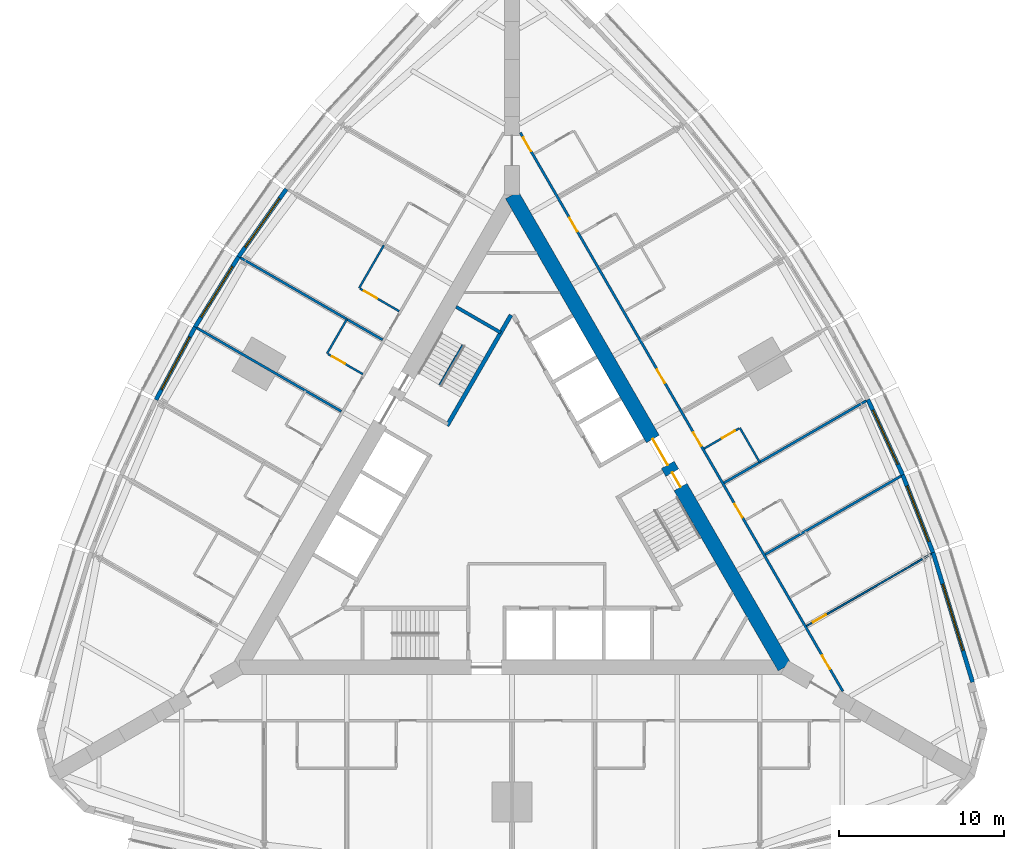
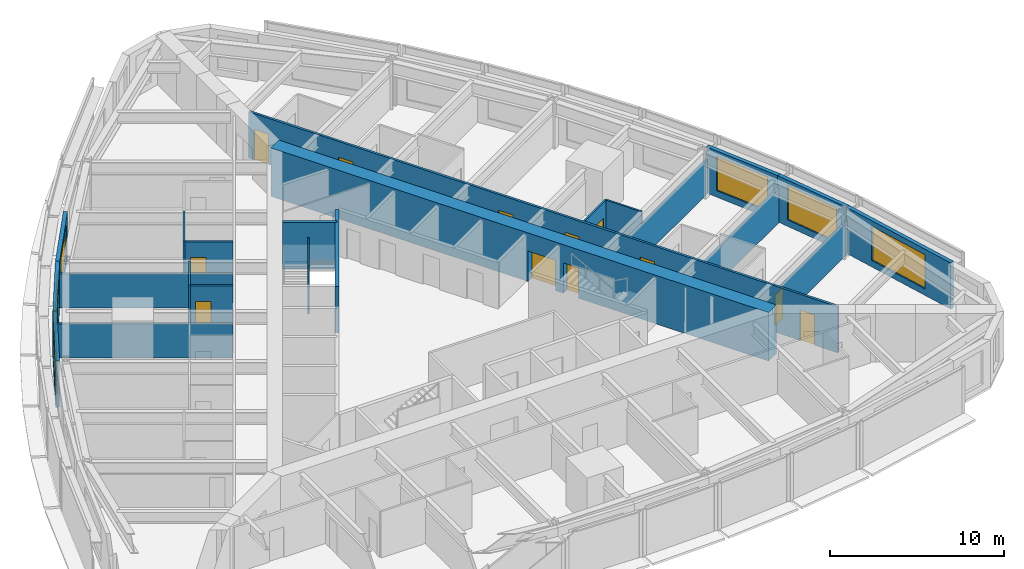
# One storey, part 11 of 14: 22 walls, 12 doors, 6 windows, 18 openings.
"""IFC4 building model written with IfcOpenShell, lengths in metres."""

from ifc_helpers import new_model, si_unit, direction, frame, frame_2d, origin, place, context, subcontext, project, spatial, rectangle, extrude, material, layer, layer_set, type_object, element, fill, save


model = new_model("IFC4")

# Units and contexts
model_context = context("Model", 3, precision=1e-05, world=origin(), true_north=direction((0.0, 1.0)))
body_context = subcontext(model_context, "Body", "Model", "MODEL_VIEW")
ifc_project = project(units=[si_unit("LENGTHUNIT", "METRE"), si_unit("AREAUNIT", "SQUARE_METRE"), si_unit("VOLUMEUNIT", "CUBIC_METRE"), si_unit("PLANEANGLEUNIT", "RADIAN"), si_unit("MASSUNIT", "GRAM", prefix="KILO")], contexts=[model_context])

# Site, building, storey
site_placement = place(None, origin())
site = spatial("IfcSite", under=ifc_project, at=site_placement, CompositionType="ELEMENT")
building_placement = place(site_placement, origin())
building = spatial("IfcBuilding", under=site, at=building_placement, Name="Trikona Tower", CompositionType="ELEMENT")
storey_placement = place(building_placement, frame((0.0, 0.0, 55.699951171875)))
storey = spatial("IfcBuildingStorey", under=building, at=storey_placement, Name="L13", CompositionType="ELEMENT", Elevation=55.699951171875)

# Wall
ifc_material_1 = material(Name="Metal stud and cement board", Category="gypsum")
ifc_layer_1 = layer(ifc_material_1, 0.1201171875)
ifc_layer_set_1 = layer_set([ifc_layer_1], Name="Bathroom wall 120")
wall_type_1 = type_object("IfcWallType", Name="Bathroom wall 120", PredefinedType="PLUMBINGWALL", material=ifc_layer_set_1)
wall_1_placement = place(storey_placement, frame((14.993408203125, 2.883056640625, 0.0), z_axis=(0.0, 0.0, 1.0), x_axis=(-0.500001309137, 0.866024647952, 0.0)))
element("IfcWall", 1, at=wall_1_placement, inside=storey, type_object=wall_type_1, Name="Bathroom wall 1307", PredefinedType="PLUMBINGWALL", context=body_context, shape_type="SweptSolid", body=[
    extrude(rectangle(XDim=2.39990234375, YDim=0.1201171875, at=frame_2d((1.199951171875, 0.0))), origin(), (0.0, 0.0, 1.0), 3.235107421875),
])

# Wall, opening, door
wall_2_placement = place(storey_placement, frame((11.62841796875, 3.71142578125, 0.0), z_axis=(0.0, 0.0, 1.0), x_axis=(0.866048967903, 0.499959183527, 0.0)))
wall_2 = element("IfcWall", 2, at=wall_2_placement, inside=storey, type_object=wall_type_1, Name="Bathroom wall 1307", PredefinedType="PLUMBINGWALL", context=body_context, shape_type="SweptSolid", body=[
    extrude(rectangle(XDim=2.440185546875, YDim=0.1201171875, at=frame_2d((1.22021484375, 0.0))), origin(), (0.0, 0.0, 1.0), 3.235107421875),
])
opening_1_placement = place(wall_2_placement, frame((1.25, 0.0, 0.0)))
opening_1 = element("IfcOpeningElement", 3, at=opening_1_placement, cuts=wall_2, Name="Opening D2", PredefinedType="OPENING", context=body_context, shape_type="SweptSolid", body=[
    extrude(rectangle(XDim=0.89990234375, YDim=2.1298828125, at=frame_2d((0.449951171875, 1.06494140625))), frame((0.0, 0.070068359375, 0.0), z_axis=(0.0, -1.0, 0.0), x_axis=(1.0, 0.0, 0.0)), (0.0, 0.0, 1.0), 0.14013671875),
])
ifc_material_2 = material(Name="Steel door frame with solid-core timber leaf", Category="steel")
door_type_1 = type_object("IfcDoorType", Name="Bathroom door 900x2130", OperationType="SLIDING_TO_LEFT", PredefinedType="DOOR", material=ifc_material_2)
door_1_placement = place(opening_1_placement, origin())
door_1 = element("IfcDoor", 4, at=door_1_placement, inside=storey, type_object=door_type_1, Name="Bathroom door 1307", OperationType="SLIDING_TO_LEFT", OverallHeight=2.1298828125, OverallWidth=0.89990234375, PredefinedType="DOOR", context=body_context, shape_type="SweptSolid", body=[
    extrude(rectangle(XDim=0.89990234375, YDim=2.1298828125, at=frame_2d((0.449951171875, 1.06494140625))), frame((0.0, 0.02490234375, 0.0), z_axis=(0.0, -1.0, 0.0), x_axis=(1.0, 0.0, 0.0)), (0.0, 0.0, 1.0), 0.050048828125),
])
fill(opening_1, door_1)

# Wall
wall_3_placement = place(storey_placement, frame((-7.75341796875, 16.0234375, 0.0), z_axis=(0.0, 0.0, 1.0), x_axis=(-0.499990139034, -0.866031096941, 0.0)))
element("IfcWall", 5, at=wall_3_placement, inside=storey, type_object=wall_type_1, Name="Bathroom wall 1312", PredefinedType="PLUMBINGWALL", context=body_context, shape_type="SweptSolid", body=[
    extrude(rectangle(XDim=3.0, YDim=0.1201171875, at=frame_2d((1.5, 0.0))), origin(), (0.0, 0.0, 1.0), 3.235107421875),
])

# Wall, opening, door
wall_4_placement = place(storey_placement, frame((-6.82861328125, 12.025390625, 0.0), z_axis=(0.0, 0.0, 1.0), x_axis=(-0.866035715982, 0.499982138324, 0.0)))
wall_4 = element("IfcWall", 6, at=wall_4_placement, inside=storey, type_object=wall_type_1, Name="Bathroom wall 1312", PredefinedType="PLUMBINGWALL", context=body_context, shape_type="SweptSolid", body=[
    extrude(rectangle(XDim=2.73974609375, YDim=0.1201171875, at=frame_2d((1.369873046875, 0.0))), origin(), (0.0, 0.0, 1.0), 3.235107421875),
])
opening_2_placement = place(wall_4_placement, frame((1.550048828125, 0.0, 0.0)))
opening_2 = element("IfcOpeningElement", 7, at=opening_2_placement, cuts=wall_4, Name="Opening D2", PredefinedType="OPENING", context=body_context, shape_type="SweptSolid", body=[
    extrude(rectangle(XDim=0.89990234375, YDim=2.1298828125, at=frame_2d((0.449951171875, 1.06494140625))), frame((0.0, 0.070068359375, 0.0), z_axis=(0.0, -1.0, 0.0), x_axis=(1.0, 0.0, 0.0)), (0.0, 0.0, 1.0), 0.14013671875),
])
door_2_placement = place(opening_2_placement, origin())
door_2 = element("IfcDoor", 8, at=door_2_placement, inside=storey, type_object=door_type_1, Name="Bathroom door 1312", OperationType="SLIDING_TO_LEFT", OverallHeight=2.1298828125, OverallWidth=0.89990234375, PredefinedType="DOOR", context=body_context, shape_type="SweptSolid", body=[
    extrude(rectangle(XDim=0.89990234375, YDim=2.1298828125, at=frame_2d((0.449951171875, 1.06494140625))), frame((0.0, 0.02490234375, 0.0), z_axis=(0.0, -1.0, 0.0), x_axis=(1.0, 0.0, 0.0)), (0.0, 0.0, 1.0), 0.050048828125),
])
fill(opening_2, door_2)

# Wall
wall_5_placement = place(storey_placement, frame((-9.993408203125, 11.543212890625, 0.0), z_axis=(0.0, 0.0, 1.0), x_axis=(-0.500077600433, -0.865980596518, 0.0)))
element("IfcWall", 9, at=wall_5_placement, inside=storey, type_object=wall_type_1, Name="Bathroom wall 1313", PredefinedType="PLUMBINGWALL", context=body_context, shape_type="SweptSolid", body=[
    extrude(rectangle(XDim=2.39990234375, YDim=0.1201171875, at=frame_2d((1.199951171875, 0.0))), origin(), (0.0, 0.0, 1.0), 3.235107421875),
])

# Wall, opening, door
wall_6_placement = place(storey_placement, frame((-9.028564453125, 8.21484375, 0.0), z_axis=(0.0, 0.0, 1.0), x_axis=(-0.866023955769, 0.500002508028, 0.0)))
wall_6 = element("IfcWall", 10, at=wall_6_placement, inside=storey, type_object=wall_type_1, Name="Bathroom wall 1313", PredefinedType="PLUMBINGWALL", context=body_context, shape_type="SweptSolid", body=[
    extrude(rectangle(XDim=2.43994140625, YDim=0.1201171875, at=frame_2d((1.219970703125, 0.0))), origin(), (0.0, 0.0, 1.0), 3.235107421875),
])
opening_3_placement = place(wall_6_placement, frame((1.25, 0.0, 0.0)))
opening_3 = element("IfcOpeningElement", 11, at=opening_3_placement, cuts=wall_6, Name="Opening D2", PredefinedType="OPENING", context=body_context, shape_type="SweptSolid", body=[
    extrude(rectangle(XDim=0.89990234375, YDim=2.1298828125, at=frame_2d((0.449951171875, 1.06494140625))), frame((0.0, 0.070068359375, 0.0), z_axis=(0.0, -1.0, 0.0), x_axis=(1.0, 0.0, 0.0)), (0.0, 0.0, 1.0), 0.14013671875),
])
door_3_placement = place(opening_3_placement, origin())
door_3 = element("IfcDoor", 12, at=door_3_placement, inside=storey, type_object=door_type_1, Name="Bathroom door 1313", OperationType="SLIDING_TO_LEFT", OverallHeight=2.1298828125, OverallWidth=0.89990234375, PredefinedType="DOOR", context=body_context, shape_type="SweptSolid", body=[
    extrude(rectangle(XDim=0.89990234375, YDim=2.1298828125, at=frame_2d((0.449951171875, 1.06494140625))), frame((0.0, 0.02490234375, 0.0), z_axis=(0.0, -1.0, 0.0), x_axis=(1.0, 0.0, 0.0)), (0.0, 0.0, 1.0), 0.050048828125),
])
fill(opening_3, door_3)

# Wall, openings, doors
ifc_material_3 = material(Name="Concrete f'c 10000 psi", Category="concrete")
ifc_layer_2 = layer(ifc_material_3, 0.89990234375)
ifc_layer_set_2 = layer_set([ifc_layer_2], Name="Core wall 900")
wall_type_2 = type_object("IfcWallType", Name="Core wall 900", PredefinedType="SHEAR", material=ifc_layer_set_2)
wall_7_placement = place(storey_placement, frame((16.5, -9.5263671875, 0.0), z_axis=(0.0, 0.0, 1.0), x_axis=(-0.499999749417, 0.866025548458, 0.0)))
wall_7 = element("IfcWall", 13, at=wall_7_placement, inside=storey, type_object=wall_type_2, Name="Core wall B", PredefinedType="SHEAR", context=body_context, shape_type="SweptSolid", body=[
    extrude(rectangle(XDim=33.0, YDim=0.89990234375, at=frame_2d((16.5, 0.0))), origin(), (0.0, 0.0, 1.0), 3.400146484375),
])
opening_4_placement = place(wall_7_placement, frame((14.14990234375, 0.0, 0.0)))
opening_4 = element("IfcOpeningElement", 14, at=opening_4_placement, cuts=wall_7, Name="Opening D6", PredefinedType="OPENING", context=body_context, shape_type="SweptSolid", body=[
    extrude(rectangle(XDim=1.800048828125, YDim=2.1298828125, at=frame_2d((0.89990234375, 1.06494140625))), frame((0.0, 0.4599609375, 0.0), z_axis=(0.0, -1.0, 0.0), x_axis=(1.0, 0.0, 0.0)), (0.0, 0.0, 1.0), 0.919921875),
])
opening_5_placement = place(wall_7_placement, frame((12.60009765625, 0.0, 0.0)))
opening_5 = element("IfcOpeningElement", 15, at=opening_5_placement, cuts=wall_7, Name="Opening D5", PredefinedType="OPENING", context=body_context, shape_type="SweptSolid", body=[
    extrude(rectangle(XDim=1.0, YDim=2.1298828125, at=frame_2d((0.5, 1.06494140625))), frame((0.0, 0.4599609375, 0.0), z_axis=(0.0, -1.0, 0.0), x_axis=(1.0, 0.0, 0.0)), (0.0, 0.0, 1.0), 0.919921875),
])
ifc_material_4 = material(Name="Hollow metal door and frame", Category="steel")
door_type_2 = type_object("IfcDoorType", Name="Lobby door pair 1800x2130", OperationType="DOUBLE_DOOR_SINGLE_SWING", PredefinedType="DOOR", material=ifc_material_4)
door_4_placement = place(opening_4_placement, origin())
door_4 = element("IfcDoor", 16, at=door_4_placement, inside=storey, type_object=door_type_2, Name="Lift lobby door B", OperationType="DOUBLE_DOOR_SINGLE_SWING", OverallHeight=2.1298828125, OverallWidth=1.800048828125, PredefinedType="DOOR", context=body_context, shape_type="SweptSolid", body=[
    extrude(rectangle(XDim=1.800048828125, YDim=2.1298828125, at=frame_2d((0.89990234375, 1.06494140625))), frame((0.0, 0.02490234375, 0.0), z_axis=(0.0, -1.0, 0.0), x_axis=(1.0, 0.0, 0.0)), (0.0, 0.0, 1.0), 0.050048828125),
])
fill(opening_4, door_4)
ifc_material_5 = material(Name="Hollow metal door and frame", Category="steel")
door_type_3 = type_object("IfcDoorType", Name="Stair door 1000x2130", OperationType="SINGLE_SWING_LEFT", PredefinedType="DOOR", material=ifc_material_5)
door_5_placement = place(opening_5_placement, origin())
door_5 = element("IfcDoor", 17, at=door_5_placement, inside=storey, type_object=door_type_3, Name="Stair B door", OperationType="SINGLE_SWING_RIGHT", OverallHeight=2.1298828125, OverallWidth=1.0, PredefinedType="DOOR", context=body_context, shape_type="SweptSolid", body=[
    extrude(rectangle(XDim=1.0, YDim=2.1298828125, at=frame_2d((0.5, 1.06494140625))), frame((0.0, 0.02490234375, 0.0), z_axis=(0.0, -1.0, 0.0), x_axis=(1.0, 0.0, 0.0)), (0.0, 0.0, 1.0), 0.050048828125),
])
fill(opening_5, door_5)

ifc_material_6 = material(Name="Metal stud and gypsum board, 1-hour", Category="gypsum")
ifc_layer_3 = layer(ifc_material_6, 0.14990234375)
ifc_layer_set_3 = layer_set([ifc_layer_3], Name="Corridor wall 150")
wall_type_3 = type_object("IfcWallType", Name="Corridor wall 150", PredefinedType="PARTITIONING", material=ifc_layer_set_3)
wall_8_placement = place(storey_placement, frame((20.027099609375, -10.9853515625, 0.0), z_axis=(0.0, 0.0, 1.0), x_axis=(-0.500001677587, 0.866024435227, 0.0)))
wall_8 = element("IfcWall", 18, at=wall_8_placement, inside=storey, type_object=wall_type_3, Name="Corridor wall L13-2", PredefinedType="PARTITIONING", context=body_context, shape_type="SweptSolid", body=[
    extrude(rectangle(XDim=39.053955078125, YDim=0.14990234375, at=frame_2d((19.52685546875, 0.0))), origin(), (0.0, 0.0, 1.0), 3.235107421875),
])
opening_6_placement = place(wall_8_placement, frame((1.558349609375, 0.0, 0.0)))
opening_6 = element("IfcOpeningElement", 19, at=opening_6_placement, cuts=wall_8, Name="Opening D1", PredefinedType="OPENING", context=body_context, shape_type="SweptSolid", body=[
    extrude(rectangle(XDim=0.949951171875, YDim=2.1298828125, at=frame_2d((0.47509765625, 1.06494140625))), frame((0.0, 0.0849609375, 0.0), z_axis=(0.0, -1.0, 0.0), x_axis=(1.0, 0.0, 0.0)), (0.0, 0.0, 1.0), 0.169921875),
])
opening_7_placement = place(wall_8_placement, frame((12.152099609375, 0.0, 0.0)))
opening_7 = element("IfcOpeningElement", 20, at=opening_7_placement, cuts=wall_8, Name="Opening D1", PredefinedType="OPENING", context=body_context, shape_type="SweptSolid", body=[
    extrude(rectangle(XDim=0.949951171875, YDim=2.1298828125, at=frame_2d((0.47509765625, 1.06494140625))), frame((0.0, 0.0849609375, 0.0), z_axis=(0.0, -1.0, 0.0), x_axis=(1.0, 0.0, 0.0)), (0.0, 0.0, 1.0), 0.169921875),
])
opening_8_placement = place(wall_8_placement, frame((17.152099609375, 0.0, 0.0)))
opening_8 = element("IfcOpeningElement", 21, at=opening_8_placement, cuts=wall_8, Name="Opening D1", PredefinedType="OPENING", context=body_context, shape_type="SweptSolid", body=[
    extrude(rectangle(XDim=0.949951171875, YDim=2.1298828125, at=frame_2d((0.47509765625, 1.06494140625))), frame((0.0, 0.0849609375, 0.0), z_axis=(0.0, -1.0, 0.0), x_axis=(1.0, 0.0, 0.0)), (0.0, 0.0, 1.0), 0.169921875),
])
opening_9_placement = place(wall_8_placement, frame((21.552001953125, 0.0, 0.0)))
opening_9 = element("IfcOpeningElement", 22, at=opening_9_placement, cuts=wall_8, Name="Opening D1", PredefinedType="OPENING", context=body_context, shape_type="SweptSolid", body=[
    extrude(rectangle(XDim=0.949951171875, YDim=2.1298828125, at=frame_2d((0.47509765625, 1.06494140625))), frame((0.0, 0.0849609375, 0.0), z_axis=(0.0, -1.0, 0.0), x_axis=(1.0, 0.0, 0.0)), (0.0, 0.0, 1.0), 0.169921875),
])
opening_10_placement = place(wall_8_placement, frame((32.152099609375, 0.0, 0.0)))
opening_10 = element("IfcOpeningElement", 23, at=opening_10_placement, cuts=wall_8, Name="Opening D1", PredefinedType="OPENING", context=body_context, shape_type="SweptSolid", body=[
    extrude(rectangle(XDim=0.949951171875, YDim=2.1298828125, at=frame_2d((0.47509765625, 1.06494140625))), frame((0.0, 0.0849609375, 0.0), z_axis=(0.0, -1.0, 0.0), x_axis=(1.0, 0.0, 0.0)), (0.0, 0.0, 1.0), 0.169921875),
])
opening_11_placement = place(wall_8_placement, frame((37.751953125, 0.0, 0.0)))
opening_11 = element("IfcOpeningElement", 24, at=opening_11_placement, cuts=wall_8, Name="Opening D1", PredefinedType="OPENING", context=body_context, shape_type="SweptSolid", body=[
    extrude(rectangle(XDim=0.949951171875, YDim=2.1298828125, at=frame_2d((0.47509765625, 1.06494140625))), frame((0.0, 0.0849609375, 0.0), z_axis=(0.0, -1.0, 0.0), x_axis=(1.0, 0.0, 0.0)), (0.0, 0.0, 1.0), 0.169921875),
])
ifc_material_7 = material(Name="Steel door frame with solid-core timber leaf", Category="steel")
door_type_4 = type_object("IfcDoorType", Name="Guest room door 950x2130", OperationType="SINGLE_SWING_LEFT", PredefinedType="DOOR", material=ifc_material_7)
door_6_placement = place(opening_6_placement, origin())
door_6 = element("IfcDoor", 25, at=door_6_placement, inside=storey, type_object=door_type_4, Name="Room door 1305", OperationType="SINGLE_SWING_LEFT", OverallHeight=2.1298828125, OverallWidth=0.949951171875, PredefinedType="DOOR", context=body_context, shape_type="SweptSolid", body=[
    extrude(rectangle(XDim=0.949951171875, YDim=2.1298828125, at=frame_2d((0.47509765625, 1.06494140625))), frame((0.0, 0.02490234375, 0.0), z_axis=(0.0, -1.0, 0.0), x_axis=(1.0, 0.0, 0.0)), (0.0, 0.0, 1.0), 0.050048828125),
])
fill(opening_6, door_6)
door_7_placement = place(opening_7_placement, origin())
door_7 = element("IfcDoor", 26, at=door_7_placement, inside=storey, type_object=door_type_4, Name="Room door 1306", OperationType="SINGLE_SWING_RIGHT", OverallHeight=2.1298828125, OverallWidth=0.949951171875, PredefinedType="DOOR", context=body_context, shape_type="SweptSolid", body=[
    extrude(rectangle(XDim=0.949951171875, YDim=2.1298828125, at=frame_2d((0.47509765625, 1.06494140625))), frame((0.0, 0.02490234375, 0.0), z_axis=(0.0, -1.0, 0.0), x_axis=(1.0, 0.0, 0.0)), (0.0, 0.0, 1.0), 0.050048828125),
])
fill(opening_7, door_7)
door_8_placement = place(opening_8_placement, origin())
door_8 = element("IfcDoor", 27, at=door_8_placement, inside=storey, type_object=door_type_4, Name="Room door 1307", OperationType="SINGLE_SWING_LEFT", OverallHeight=2.1298828125, OverallWidth=0.949951171875, PredefinedType="DOOR", context=body_context, shape_type="SweptSolid", body=[
    extrude(rectangle(XDim=0.949951171875, YDim=2.1298828125, at=frame_2d((0.47509765625, 1.06494140625))), frame((0.0, 0.02490234375, 0.0), z_axis=(0.0, -1.0, 0.0), x_axis=(1.0, 0.0, 0.0)), (0.0, 0.0, 1.0), 0.050048828125),
])
fill(opening_8, door_8)
door_9_placement = place(opening_9_placement, origin())
door_9 = element("IfcDoor", 28, at=door_9_placement, inside=storey, type_object=door_type_4, Name="Room door 1308", OperationType="SINGLE_SWING_RIGHT", OverallHeight=2.1298828125, OverallWidth=0.949951171875, PredefinedType="DOOR", context=body_context, shape_type="SweptSolid", body=[
    extrude(rectangle(XDim=0.949951171875, YDim=2.1298828125, at=frame_2d((0.47509765625, 1.06494140625))), frame((0.0, 0.02490234375, 0.0), z_axis=(0.0, -1.0, 0.0), x_axis=(1.0, 0.0, 0.0)), (0.0, 0.0, 1.0), 0.050048828125),
])
fill(opening_9, door_9)
door_10_placement = place(opening_10_placement, origin())
door_10 = element("IfcDoor", 29, at=door_10_placement, inside=storey, type_object=door_type_4, Name="Room door 1309", OperationType="SINGLE_SWING_LEFT", OverallHeight=2.1298828125, OverallWidth=0.949951171875, PredefinedType="DOOR", context=body_context, shape_type="SweptSolid", body=[
    extrude(rectangle(XDim=0.949951171875, YDim=2.1298828125, at=frame_2d((0.47509765625, 1.06494140625))), frame((0.0, 0.02490234375, 0.0), z_axis=(0.0, -1.0, 0.0), x_axis=(1.0, 0.0, 0.0)), (0.0, 0.0, 1.0), 0.050048828125),
])
fill(opening_10, door_10)
door_11_placement = place(opening_11_placement, origin())
door_11 = element("IfcDoor", 30, at=door_11_placement, inside=storey, type_object=door_type_4, Name="Room door 1310", OperationType="SINGLE_SWING_RIGHT", OverallHeight=2.1298828125, OverallWidth=0.949951171875, PredefinedType="DOOR", context=body_context, shape_type="SweptSolid", body=[
    extrude(rectangle(XDim=0.949951171875, YDim=2.1298828125, at=frame_2d((0.47509765625, 1.06494140625))), frame((0.0, 0.02490234375, 0.0), z_axis=(0.0, -1.0, 0.0), x_axis=(1.0, 0.0, 0.0)), (0.0, 0.0, 1.0), 0.050048828125),
])
fill(opening_11, door_11)

# Wall
ifc_material_8 = material(Name="Concrete f'c 8000 psi", Category="concrete")
ifc_layer_4 = layer(ifc_material_8, 0.25)
ifc_layer_set_4 = layer_set([ifc_layer_4], Name="Hub wall 250")
wall_type_4 = type_object("IfcWallType", Name="Hub wall 250", PredefinedType="SOLIDWALL", material=ifc_layer_set_4)
wall_9_placement = place(storey_placement, frame((-0.0625, 11.794189453125, 0.0), z_axis=(0.0, 0.0, 1.0), x_axis=(-0.500006680225, -0.86602154692, 0.0)))
element("IfcWall", 31, at=wall_9_placement, inside=storey, type_object=wall_type_4, Name="Lift lobby wall C1", PredefinedType="SOLIDWALL", context=body_context, shape_type="SweptSolid", body=[
    extrude(rectangle(XDim=7.73291015625, YDim=0.25, at=frame_2d((3.866455078125, 0.0))), origin(), (0.0, 0.0, 1.0), 3.235107421875),
])

# Wall, opening, window
ifc_material_9 = material(Name="Insulated precast concrete spandrel panel", Category="concrete")
ifc_layer_5 = layer(ifc_material_9, 0.25)
ifc_layer_set_5 = layer_set([ifc_layer_5], Name="Inner skin wall 250")
wall_type_5 = type_object("IfcWallType", Name="Inner skin wall 250", PredefinedType="STANDARD", material=ifc_layer_set_5)
wall_10_placement = place(storey_placement, frame((27.88037109375, -10.4287109375, 0.0), z_axis=(0.0, 0.0, 1.0), x_axis=(-0.2919790669, 0.956424709265, 0.0)))
wall_10 = element("IfcWall", 32, at=wall_10_placement, inside=storey, type_object=wall_type_5, Name="External wall L13-12", PredefinedType="STANDARD", context=body_context, shape_type="SweptSolid", body=[
    extrude(rectangle(XDim=8.211181640625, YDim=0.25, at=frame_2d((4.10546875, 0.0))), origin(), (0.0, 0.0, 1.0), 3.235107421875),
])
opening_12_placement = place(wall_10_placement, frame((2.005615234375, 0.0, 0.449951171875)))
opening_12 = element("IfcOpeningElement", 33, at=opening_12_placement, cuts=wall_10, Name="Opening W4224", PredefinedType="OPENING", context=body_context, shape_type="SweptSolid", body=[
    extrude(rectangle(XDim=4.199951171875, YDim=2.39990234375, at=frame_2d((2.10009765625, 1.199951171875))), frame((0.0, 0.135009765625, 0.0), z_axis=(0.0, -1.0, 0.0), x_axis=(1.0, 0.0, 0.0)), (0.0, 0.0, 1.0), 0.27001953125),
])
ifc_material_10 = material(Name="Aluminium-framed double glazing", Category="aluminium")
window_type_1 = type_object("IfcWindowType", Name="Window 4200x2400", PartitioningType="SINGLE_PANEL", PredefinedType="WINDOW", material=ifc_material_10)
window_1_placement = place(opening_12_placement, origin())
window_1 = element("IfcWindow", 34, at=window_1_placement, inside=storey, type_object=window_type_1, Name="Window 1305", OverallHeight=2.39990234375, OverallWidth=4.199951171875, PartitioningType="SINGLE_PANEL", PredefinedType="WINDOW", context=body_context, shape_type="SweptSolid", body=[
    extrude(rectangle(XDim=4.199951171875, YDim=2.39990234375, at=frame_2d((2.10009765625, 1.199951171875))), frame((0.0, 0.030029296875, 0.0), z_axis=(0.0, -1.0, 0.0), x_axis=(1.0, 0.0, 0.0)), (0.0, 0.0, 1.0), 0.06005859375),
])
fill(opening_12, window_1)

wall_11_placement = place(storey_placement, frame((25.486083984375, -2.58447265625, 0.0), z_axis=(0.0, 0.0, 1.0), x_axis=(-0.364013463868, 0.931393685894, 0.0)))
wall_11 = element("IfcWall", 35, at=wall_11_placement, inside=storey, type_object=wall_type_5, Name="External wall L13-13", PredefinedType="STANDARD", context=body_context, shape_type="SweptSolid", body=[
    extrude(rectangle(XDim=5.0576171875, YDim=0.25, at=frame_2d((2.52880859375, 0.0))), origin(), (0.0, 0.0, 1.0), 3.235107421875),
])
opening_13_placement = place(wall_11_placement, frame((0.728759765625, 0.0, 0.449951171875)))
opening_13 = element("IfcOpeningElement", 36, at=opening_13_placement, cuts=wall_11, Name="Opening W3624", PredefinedType="OPENING", context=body_context, shape_type="SweptSolid", body=[
    extrude(rectangle(XDim=3.60009765625, YDim=2.39990234375, at=frame_2d((1.800048828125, 1.199951171875))), frame((0.0, 0.135009765625, 0.0), z_axis=(0.0, -1.0, 0.0), x_axis=(1.0, 0.0, 0.0)), (0.0, 0.0, 1.0), 0.27001953125),
])
ifc_material_11 = material(Name="Aluminium-framed double glazing", Category="aluminium")
window_type_2 = type_object("IfcWindowType", Name="Window 3600x2400", PartitioningType="SINGLE_PANEL", PredefinedType="WINDOW", material=ifc_material_11)
window_2_placement = place(opening_13_placement, origin())
window_2 = element("IfcWindow", 37, at=window_2_placement, inside=storey, type_object=window_type_2, Name="Window 1305.1", OverallHeight=2.39990234375, OverallWidth=3.60009765625, PartitioningType="SINGLE_PANEL", PredefinedType="WINDOW", context=body_context, shape_type="SweptSolid", body=[
    extrude(rectangle(XDim=3.60009765625, YDim=2.39990234375, at=frame_2d((1.800048828125, 1.199951171875))), frame((0.0, 0.030029296875, 0.0), z_axis=(0.0, -1.0, 0.0), x_axis=(1.0, 0.0, 0.0)), (0.0, 0.0, 1.0), 0.06005859375),
])
fill(opening_13, window_2)

wall_12_placement = place(storey_placement, frame((23.64794921875, 2.119384765625, 0.0), z_axis=(0.0, 0.0, 1.0), x_axis=(-0.419203100754, 0.907892482796, 0.0)))
wall_12 = element("IfcWall", 38, at=wall_12_placement, inside=storey, type_object=wall_type_5, Name="External wall L13-14", PredefinedType="STANDARD", context=body_context, shape_type="SweptSolid", body=[
    extrude(rectangle(XDim=5.020751953125, YDim=0.25, at=frame_2d((2.51025390625, 0.0))), origin(), (0.0, 0.0, 1.0), 3.235107421875),
])
opening_14_placement = place(wall_12_placement, frame((0.71044921875, 0.0, 0.449951171875)))
opening_14 = element("IfcOpeningElement", 39, at=opening_14_placement, cuts=wall_12, Name="Opening W3624", PredefinedType="OPENING", context=body_context, shape_type="SweptSolid", body=[
    extrude(rectangle(XDim=3.60009765625, YDim=2.39990234375, at=frame_2d((1.800048828125, 1.199951171875))), frame((0.0, 0.135009765625, 0.0), z_axis=(0.0, -1.0, 0.0), x_axis=(1.0, 0.0, 0.0)), (0.0, 0.0, 1.0), 0.27001953125),
])
window_3_placement = place(opening_14_placement, origin())
window_3 = element("IfcWindow", 40, at=window_3_placement, inside=storey, type_object=window_type_2, Name="Window 1306", OverallHeight=2.39990234375, OverallWidth=3.60009765625, PartitioningType="SINGLE_PANEL", PredefinedType="WINDOW", context=body_context, shape_type="SweptSolid", body=[
    extrude(rectangle(XDim=3.60009765625, YDim=2.39990234375, at=frame_2d((1.800048828125, 1.199951171875))), frame((0.0, 0.030029296875, 0.0), z_axis=(0.0, -1.0, 0.0), x_axis=(1.0, 0.0, 0.0)), (0.0, 0.0, 1.0), 0.06005859375),
])
fill(opening_14, window_3)

wall_13_placement = place(storey_placement, frame((-13.659423828125, 19.420166015625, 0.0), z_axis=(0.0, 0.0, 1.0), x_axis=(-0.5766431066, -0.81699616132, 0.0)))
wall_13 = element("IfcWall", 41, at=wall_13_placement, inside=storey, type_object=wall_type_5, Name="External wall L13-26", PredefinedType="STANDARD", context=body_context, shape_type="SweptSolid", body=[
    extrude(rectangle(XDim=5.02099609375, YDim=0.25, at=frame_2d((2.510498046875, 0.0))), origin(), (0.0, 0.0, 1.0), 3.235107421875),
])
opening_15_placement = place(wall_13_placement, frame((0.71044921875, 0.0, 0.449951171875)))
opening_15 = element("IfcOpeningElement", 42, at=opening_15_placement, cuts=wall_13, Name="Opening W3624", PredefinedType="OPENING", context=body_context, shape_type="SweptSolid", body=[
    extrude(rectangle(XDim=3.60009765625, YDim=2.39990234375, at=frame_2d((1.800048828125, 1.199951171875))), frame((0.0, 0.135009765625, 0.0), z_axis=(0.0, -1.0, 0.0), x_axis=(1.0, 0.0, 0.0)), (0.0, 0.0, 1.0), 0.27001953125),
])
window_4_placement = place(opening_15_placement, origin())
window_4 = element("IfcWindow", 43, at=window_4_placement, inside=storey, type_object=window_type_2, Name="Window 1312", OverallHeight=2.39990234375, OverallWidth=3.60009765625, PartitioningType="SINGLE_PANEL", PredefinedType="WINDOW", context=body_context, shape_type="SweptSolid", body=[
    extrude(rectangle(XDim=3.60009765625, YDim=2.39990234375, at=frame_2d((1.800048828125, 1.199951171875))), frame((0.0, 0.030029296875, 0.0), z_axis=(0.0, -1.0, 0.0), x_axis=(1.0, 0.0, 0.0)), (0.0, 0.0, 1.0), 0.06005859375),
])
fill(opening_15, window_4)

wall_14_placement = place(storey_placement, frame((-16.550537109375, 15.324462890625, 0.0), z_axis=(0.0, 0.0, 1.0), x_axis=(-0.526132807704, -0.850402415717, 0.0)))
wall_14 = element("IfcWall", 44, at=wall_14_placement, inside=storey, type_object=wall_type_5, Name="External wall L13-27", PredefinedType="STANDARD", context=body_context, shape_type="SweptSolid", body=[
    extrude(rectangle(XDim=5.002197265625, YDim=0.25, at=frame_2d((2.5009765625, 0.0))), origin(), (0.0, 0.0, 1.0), 3.235107421875),
])
opening_16_placement = place(wall_14_placement, frame((0.701171875, 0.0, 0.449951171875)))
opening_16 = element("IfcOpeningElement", 45, at=opening_16_placement, cuts=wall_14, Name="Opening W3624", PredefinedType="OPENING", context=body_context, shape_type="SweptSolid", body=[
    extrude(rectangle(XDim=3.60009765625, YDim=2.39990234375, at=frame_2d((1.800048828125, 1.199951171875))), frame((0.0, 0.135009765625, 0.0), z_axis=(0.0, -1.0, 0.0), x_axis=(1.0, 0.0, 0.0)), (0.0, 0.0, 1.0), 0.27001953125),
])
window_5_placement = place(opening_16_placement, origin())
window_5 = element("IfcWindow", 46, at=window_5_placement, inside=storey, type_object=window_type_2, Name="Window 1313", OverallHeight=2.39990234375, OverallWidth=3.60009765625, PartitioningType="SINGLE_PANEL", PredefinedType="WINDOW", context=body_context, shape_type="SweptSolid", body=[
    extrude(rectangle(XDim=3.60009765625, YDim=2.39990234375, at=frame_2d((1.800048828125, 1.199951171875))), frame((0.0, 0.030029296875, 0.0), z_axis=(0.0, -1.0, 0.0), x_axis=(1.0, 0.0, 0.0)), (0.0, 0.0, 1.0), 0.06005859375),
])
fill(opening_16, window_5)

wall_15_placement = place(storey_placement, frame((-19.178466796875, 11.0771484375, 0.0), z_axis=(0.0, 0.0, 1.0), x_axis=(-0.473412820489, -0.880840678782, 0.0)))
wall_15 = element("IfcWall", 47, at=wall_15_placement, inside=storey, type_object=wall_type_5, Name="External wall L13-28", PredefinedType="STANDARD", context=body_context, shape_type="SweptSolid", body=[
    extrude(rectangle(XDim=5.00244140625, YDim=0.25, at=frame_2d((2.501220703125, 0.0))), origin(), (0.0, 0.0, 1.0), 3.235107421875),
])
opening_17_placement = place(wall_15_placement, frame((0.701171875, 0.0, 0.449951171875)))
opening_17 = element("IfcOpeningElement", 48, at=opening_17_placement, cuts=wall_15, Name="Opening W3624", PredefinedType="OPENING", context=body_context, shape_type="SweptSolid", body=[
    extrude(rectangle(XDim=3.60009765625, YDim=2.39990234375, at=frame_2d((1.800048828125, 1.199951171875))), frame((0.0, 0.135009765625, 0.0), z_axis=(0.0, -1.0, 0.0), x_axis=(1.0, 0.0, 0.0)), (0.0, 0.0, 1.0), 0.27001953125),
])
window_6_placement = place(opening_17_placement, origin())
window_6 = element("IfcWindow", 49, at=window_6_placement, inside=storey, type_object=window_type_2, Name="Window 1314", OverallHeight=2.39990234375, OverallWidth=3.60009765625, PartitioningType="SINGLE_PANEL", PredefinedType="WINDOW", context=body_context, shape_type="SweptSolid", body=[
    extrude(rectangle(XDim=3.60009765625, YDim=2.39990234375, at=frame_2d((1.800048828125, 1.199951171875))), frame((0.0, 0.030029296875, 0.0), z_axis=(0.0, -1.0, 0.0), x_axis=(1.0, 0.0, 0.0)), (0.0, 0.0, 1.0), 0.06005859375),
])
fill(opening_17, window_6)

# Walls
ifc_material_12 = material(Name="Metal stud and gypsum board, 1-hour acoustic", Category="gypsum")
ifc_layer_6 = layer(ifc_material_12, 0.14990234375)
ifc_layer_set_6 = layer_set([ifc_layer_6], Name="Party wall 150")
wall_type_6 = type_object("IfcWallType", Name="Party wall 150", PredefinedType="PARTITIONING", material=ifc_layer_set_6)
wall_16_placement = place(storey_placement, frame((15.32861328125, -2.697021484375, 0.0), z_axis=(0.0, 0.0, 1.0), x_axis=(0.866018409083, 0.500012114982, 0.0)))
element("IfcWall", 50, at=wall_16_placement, inside=storey, type_object=wall_type_6, Name="Partition L13 F2 u-10", PredefinedType="PARTITIONING", context=body_context, shape_type="SweptSolid", body=[
    extrude(rectangle(XDim=9.484619140625, YDim=0.14990234375, at=frame_2d((4.7421875, 0.0))), origin(), (0.0, 0.0, 1.0), 2.38916015625),
])
wall_17_placement = place(storey_placement, frame((12.82861328125, 1.633056640625, 0.0), z_axis=(0.0, 0.0, 1.0), x_axis=(0.866026934769, 0.499997348248, 0.0)))
element("IfcWall", 51, at=wall_17_placement, inside=storey, type_object=wall_type_6, Name="Partition L13 F2 u-5", PredefinedType="PARTITIONING", context=body_context, shape_type="SweptSolid", body=[
    extrude(rectangle(XDim=9.94287109375, YDim=0.14990234375, at=frame_2d((4.971435546875, 0.0))), origin(), (0.0, 0.0, 1.0), 2.38916015625),
])
wall_18_placement = place(storey_placement, frame((-7.82861328125, 10.293212890625, 0.0), z_axis=(0.0, 0.0, 1.0), x_axis=(-0.866016302457, 0.50001576363, 0.0)))
element("IfcWall", 52, at=wall_18_placement, inside=storey, type_object=wall_type_6, Name="Partition L13 F3 u-5", PredefinedType="PARTITIONING", context=body_context, shape_type="SweptSolid", body=[
    extrude(rectangle(XDim=9.943115234375, YDim=0.14990234375, at=frame_2d((4.9716796875, 0.0))), origin(), (0.0, 0.0, 1.0), 2.38916015625),
])
wall_19_placement = place(storey_placement, frame((-10.32861328125, 5.963134765625, 0.0), z_axis=(0.0, 0.0, 1.0), x_axis=(-0.866021688545, 0.500006434927, 0.0)))
element("IfcWall", 53, at=wall_19_placement, inside=storey, type_object=wall_type_6, Name="Partition L13 F3 u-5.10703e-15", PredefinedType="PARTITIONING", context=body_context, shape_type="SweptSolid", body=[
    extrude(rectangle(XDim=10.095947265625, YDim=0.14990234375, at=frame_2d((5.0478515625, 0.0))), origin(), (0.0, 0.0, 1.0), 2.38916015625),
])
ifc_material_13 = material(Name="Concrete f'c 8000 psi", Category="concrete")
ifc_layer_7 = layer(ifc_material_13, 0.199951171875)
ifc_layer_set_7 = layer_set([ifc_layer_7], Name="Shaft wall 200 load-bearing")
wall_type_7 = type_object("IfcWallType", Name="Shaft wall 200 load-bearing", PredefinedType="SOLIDWALL", material=ifc_layer_set_7)
wall_20_placement = place(storey_placement, frame((-0.678955078125, 10.7265625, 0.0), z_axis=(0.0, 0.0, 1.0), x_axis=(-0.866022959057, 0.500004234368, 0.0)))
element("IfcWall", 54, at=wall_20_placement, inside=storey, type_object=wall_type_7, Name="Shaft wall C1", PredefinedType="SOLIDWALL", context=body_context, shape_type="SweptSolid", body=[
    extrude(rectangle(XDim=3.125, YDim=0.199951171875, at=frame_2d((1.5625, 0.0))), origin(), (0.0, 0.0, 1.0), 3.235107421875),
])
ifc_material_14 = material(Name="Concrete f'c 5000 psi", Category="concrete")
ifc_layer_8 = layer(ifc_material_14, 0.10009765625)
ifc_layer_set_8 = layer_set([ifc_layer_8], Name="Stair spine wall 100")
wall_type_8 = type_object("IfcWallType", Name="Stair spine wall 100", PredefinedType="SOLIDWALL", material=ifc_layer_set_8)
wall_21_placement = place(storey_placement, frame((-2.98779296875, 9.9775390625, 0.0), z_axis=(0.0, 0.0, 1.0), x_axis=(-0.499992232847, -0.866029888106, 0.0)))
element("IfcWall", 55, at=wall_21_placement, inside=storey, type_object=wall_type_8, Name="Stair C spine wall L13", PredefinedType="SOLIDWALL", context=body_context, shape_type="SweptSolid", body=[
    extrude(rectangle(XDim=2.7939453125, YDim=0.10009765625, at=frame_2d((1.39697265625, 0.0))), origin(), (0.0, 0.0, 1.0), 3.400146484375),
])

# Wall, opening, door
ifc_material_15 = material(Name="Metal stud and gypsum board, acoustic", Category="gypsum")
ifc_layer_9 = layer(ifc_material_15, 0.10009765625)
ifc_layer_set_9 = layer_set([ifc_layer_9], Name="Suite partition 100")
wall_type_9 = type_object("IfcWallType", Name="Suite partition 100", PredefinedType="PARTITIONING", material=ifc_layer_set_9)
wall_22_placement = place(storey_placement, frame((17.82861328125, -7.027099609375, 0.0), z_axis=(0.0, 0.0, 1.0), x_axis=(0.866032659912, 0.499987431809, 0.0)))
wall_22 = element("IfcWall", 56, at=wall_22_placement, inside=storey, type_object=wall_type_9, Name="Suite partition L13 F2 u-15", PredefinedType="PARTITIONING", context=body_context, shape_type="SweptSolid", body=[
    extrude(rectangle(XDim=8.719970703125, YDim=0.10009765625, at=frame_2d((4.35986328125, 0.0))), origin(), (0.0, 0.0, 1.0), 2.38916015625),
])
opening_18_placement = place(wall_22_placement, frame((0.449951171875, 0.0, 0.0)))
opening_18 = element("IfcOpeningElement", 57, at=opening_18_placement, cuts=wall_22, Name="Opening D13", PredefinedType="OPENING", context=body_context, shape_type="SweptSolid", body=[
    extrude(rectangle(XDim=0.89990234375, YDim=2.1298828125, at=frame_2d((0.449951171875, 1.06494140625))), frame((0.0, 0.06005859375, 0.0), z_axis=(0.0, -1.0, 0.0), x_axis=(1.0, 0.0, 0.0)), (0.0, 0.0, 1.0), 0.1201171875),
])
ifc_material_16 = material(Name="Steel door frame with solid-core timber leaf", Category="steel")
door_type_5 = type_object("IfcDoorType", Name="Suite door 900x2130", OperationType="SINGLE_SWING_LEFT", PredefinedType="DOOR", material=ifc_material_16)
door_12_placement = place(opening_18_placement, origin())
door_12 = element("IfcDoor", 58, at=door_12_placement, inside=storey, type_object=door_type_5, Name="Suite door 1305", OperationType="SINGLE_SWING_LEFT", OverallHeight=2.1298828125, OverallWidth=0.89990234375, PredefinedType="DOOR", context=body_context, shape_type="SweptSolid", body=[
    extrude(rectangle(XDim=0.89990234375, YDim=2.1298828125, at=frame_2d((0.449951171875, 1.06494140625))), frame((0.0, 0.02490234375, 0.0), z_axis=(0.0, -1.0, 0.0), x_axis=(1.0, 0.0, 0.0)), (0.0, 0.0, 1.0), 0.050048828125),
])
fill(opening_18, door_12)

save(model, "model.ifc")
